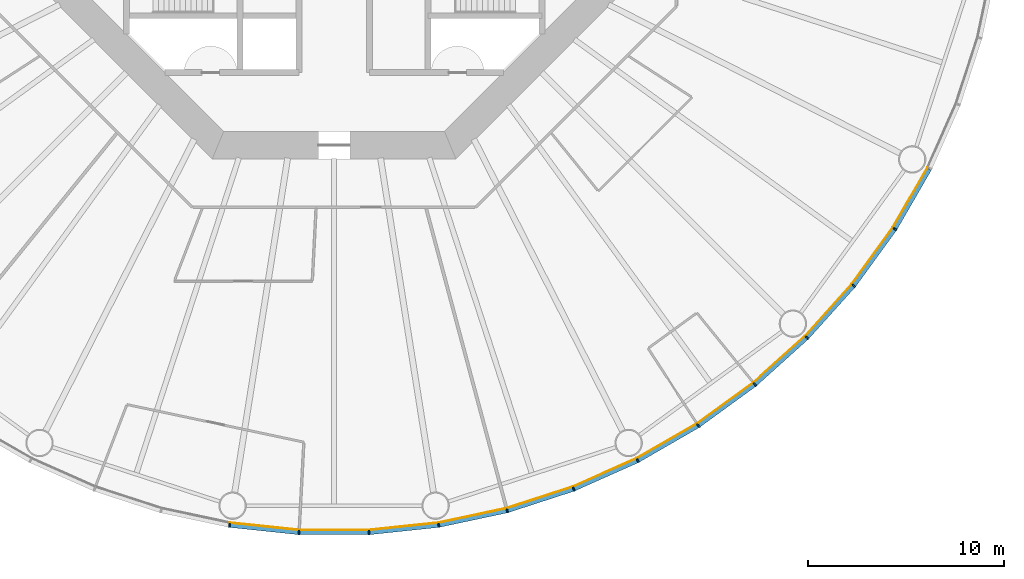
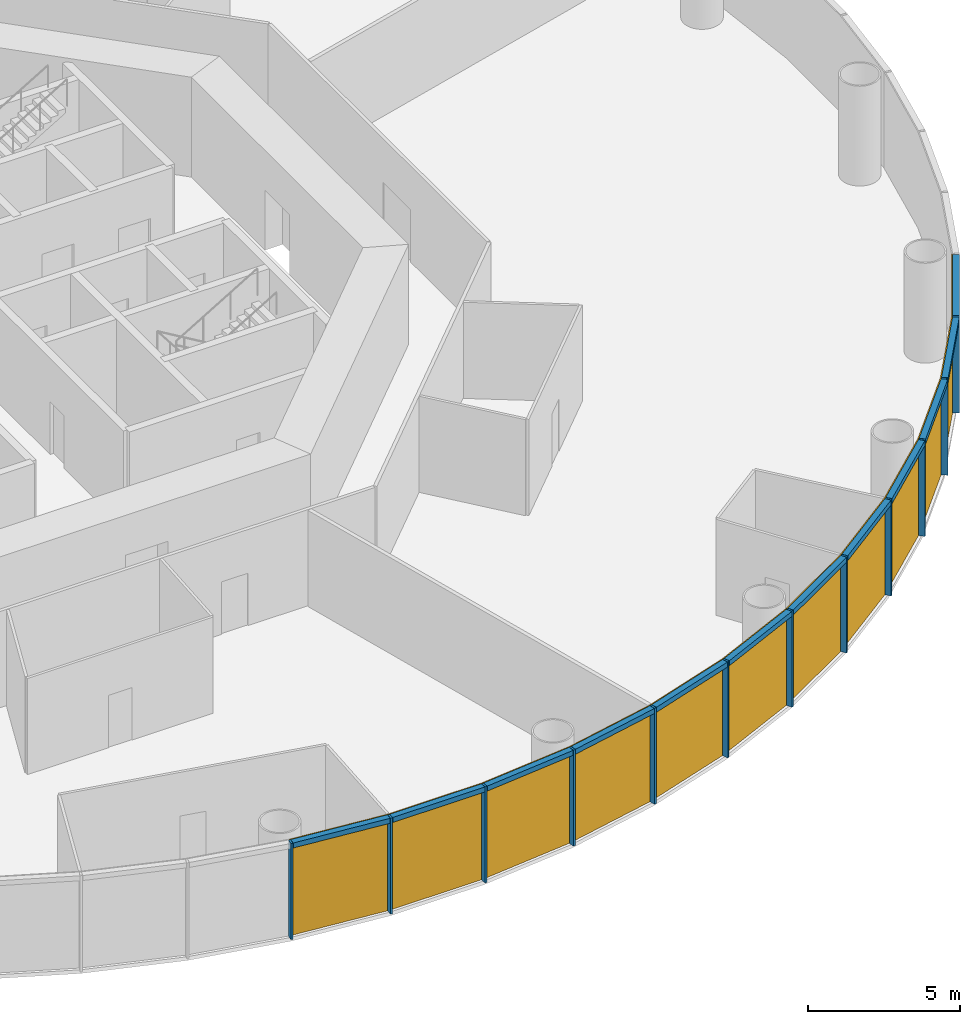
# One storey, part 8 of 13: 24 members, 4 curtain walls.
"""IFC4 building model written with IfcOpenShell, lengths in metres."""

from ifc_helpers import new_model, si_unit, direction, frame, origin, origin_2d, place, context, subcontext, project, spatial, polyline, rectangle, outline, extrude, material, layer, layer_set, material_profile, profile_set, type_object, element, aggregate, save


model = new_model("IFC4")

# Units and contexts
model_context = context("Model", 3, precision=1e-05, world=origin(), true_north=direction((0.0, 1.0)))
body_context = subcontext(model_context, "Body", "Model", "MODEL_VIEW")
ifc_project = project(units=[si_unit("LENGTHUNIT", "METRE"), si_unit("AREAUNIT", "SQUARE_METRE"), si_unit("VOLUMEUNIT", "CUBIC_METRE"), si_unit("PLANEANGLEUNIT", "RADIAN"), si_unit("MASSUNIT", "GRAM", prefix="KILO")], contexts=[model_context])

# Member
ifc_material_1 = material(Name="Anodised aluminium", Category="aluminium")
ifc_material_profile_1 = material_profile(ifc_material_1, rectangle(XDim=0.074951171875, YDim=0.219970703125, at=origin_2d()), Name="Mullion 75 x 220 mm anodised aluminium")
ifc_profile_set_1 = profile_set([ifc_material_profile_1], Name="Anodised aluminium")
member_type_1 = type_object("IfcMemberType", Name="Mullion 75 x 220 mm anodised aluminium", PredefinedType="MULLION", material=ifc_profile_set_1)
site_placement = place(None, origin())
building_placement = place(site_placement, origin())
storey_placement = place(building_placement, frame((0.0, 0.0, 22.0)))
member_1_placement = place(storey_placement, frame((84.6640625, 46.31005859375, 0.0), z_axis=(0.0, 0.0, 1.0), x_axis=(0.987688340595, -0.15643446504, 0.0)))
member_1 = element("IfcMember", 1, at=member_1_placement, type_object=member_type_1, Name="MULLION L03-42", PredefinedType="MULLION", context=body_context, shape_type="SweptSolid", body=[
    extrude(rectangle(XDim=0.074951171875, YDim=0.219970703125, at=origin_2d()), origin(), (0.0, 0.0, 1.0), 3.85009765625),
])

member_2_placement = place(storey_placement, frame((88.21484375, 45.936767578125, 0.0), z_axis=(0.0, 0.0, 1.0), x_axis=(0.998629534755, -0.052335956243, 0.0)))
member_2 = element("IfcMember", 2, at=member_2_placement, type_object=member_type_1, Name="MULLION L03-43", PredefinedType="MULLION", context=body_context, shape_type="SweptSolid", body=[
    extrude(rectangle(XDim=0.074951171875, YDim=0.219970703125, at=origin_2d()), origin(), (0.0, 0.0, 1.0), 3.85009765625),
])

member_3_placement = place(storey_placement, frame((91.78515625, 45.936767578125, 0.0), z_axis=(0.0, 0.0, 1.0), x_axis=(0.998629534755, 0.052335956243, 0.0)))
member_3 = element("IfcMember", 3, at=member_3_placement, type_object=member_type_1, Name="MULLION L03-44", PredefinedType="MULLION", context=body_context, shape_type="SweptSolid", body=[
    extrude(rectangle(XDim=0.074951171875, YDim=0.219970703125, at=origin_2d()), origin(), (0.0, 0.0, 1.0), 3.85009765625),
])

member_4_placement = place(storey_placement, frame((95.3359375, 46.31005859375, 0.0), z_axis=(0.0, 0.0, 1.0), x_axis=(0.987688340595, 0.15643446504, 0.0)))
member_4 = element("IfcMember", 4, at=member_4_placement, type_object=member_type_1, Name="MULLION L03-45", PredefinedType="MULLION", context=body_context, shape_type="SweptSolid", body=[
    extrude(rectangle(XDim=0.074951171875, YDim=0.219970703125, at=origin_2d()), origin(), (0.0, 0.0, 1.0), 3.85009765625),
])

member_5_placement = place(storey_placement, frame((98.828369140625, 47.05224609375, 0.0), z_axis=(0.0, 0.0, 1.0), x_axis=(0.965925826289, 0.258819045103, 0.0)))
member_5 = element("IfcMember", 5, at=member_5_placement, type_object=member_type_1, Name="MULLION L03-46", PredefinedType="MULLION", context=body_context, shape_type="SweptSolid", body=[
    extrude(rectangle(XDim=0.074951171875, YDim=0.219970703125, at=origin_2d()), origin(), (0.0, 0.0, 1.0), 3.85009765625),
])

member_6_placement = place(storey_placement, frame((102.223876953125, 48.155517578125, 0.0), z_axis=(0.0, 0.0, 1.0), x_axis=(0.933580426497, 0.358367949545, 0.0)))
member_6 = element("IfcMember", 6, at=member_6_placement, type_object=member_type_1, Name="MULLION L03-47", PredefinedType="MULLION", context=body_context, shape_type="SweptSolid", body=[
    extrude(rectangle(XDim=0.074951171875, YDim=0.219970703125, at=origin_2d()), origin(), (0.0, 0.0, 1.0), 3.85009765625),
])

member_7_placement = place(storey_placement, frame((105.485595703125, 49.607666015625, 0.0), z_axis=(0.0, 0.0, 1.0), x_axis=(0.891006524188, 0.45399049974, 0.0)))
member_7 = element("IfcMember", 7, at=member_7_placement, type_object=member_type_1, Name="MULLION L03-48", PredefinedType="MULLION", context=body_context, shape_type="SweptSolid", body=[
    extrude(rectangle(XDim=0.074951171875, YDim=0.219970703125, at=origin_2d()), origin(), (0.0, 0.0, 1.0), 3.85009765625),
])

member_8_placement = place(storey_placement, frame((108.57763671875, 51.39306640625, 0.0), z_axis=(0.0, 0.0, 1.0), x_axis=(0.838670567945, 0.544639035015, 0.0)))
member_8 = element("IfcMember", 8, at=member_8_placement, type_object=member_type_1, Name="MULLION L03-49", PredefinedType="MULLION", context=body_context, shape_type="SweptSolid", body=[
    extrude(rectangle(XDim=0.074951171875, YDim=0.219970703125, at=origin_2d()), origin(), (0.0, 0.0, 1.0), 3.85009765625),
])

member_9_placement = place(storey_placement, frame((111.466064453125, 53.491455078125, 0.0), z_axis=(0.0, 0.0, 1.0), x_axis=(0.777145961457, 0.62932039105, 0.0)))
member_9 = element("IfcMember", 9, at=member_9_placement, type_object=member_type_1, Name="MULLION L03-50", PredefinedType="MULLION", context=body_context, shape_type="SweptSolid", body=[
    extrude(rectangle(XDim=0.074951171875, YDim=0.219970703125, at=origin_2d()), origin(), (0.0, 0.0, 1.0), 3.85009765625),
])

member_10_placement = place(storey_placement, frame((114.119384765625, 55.880615234375, 0.0), z_axis=(0.0, 0.0, 1.0), x_axis=(0.707106781187, 0.707106781187, 0.0)))
member_10 = element("IfcMember", 10, at=member_10_placement, type_object=member_type_1, Name="MULLION L03-51", PredefinedType="MULLION", context=body_context, shape_type="SweptSolid", body=[
    extrude(rectangle(XDim=0.074951171875, YDim=0.219970703125, at=origin_2d()), origin(), (0.0, 0.0, 1.0), 3.85009765625),
])

member_11_placement = place(storey_placement, frame((116.508544921875, 58.533935546875, 0.0), z_axis=(0.0, 0.0, 1.0), x_axis=(0.62932039105, 0.777145961457, 0.0)))
member_11 = element("IfcMember", 11, at=member_11_placement, type_object=member_type_1, Name="MULLION L03-52", PredefinedType="MULLION", context=body_context, shape_type="SweptSolid", body=[
    extrude(rectangle(XDim=0.074951171875, YDim=0.219970703125, at=origin_2d()), origin(), (0.0, 0.0, 1.0), 3.85009765625),
])

member_12_placement = place(storey_placement, frame((118.60693359375, 61.42236328125, 0.0), z_axis=(0.0, 0.0, 1.0), x_axis=(0.544639035015, 0.838670567945, 0.0)))
member_12 = element("IfcMember", 12, at=member_12_placement, type_object=member_type_1, Name="MULLION L03-53", PredefinedType="MULLION", context=body_context, shape_type="SweptSolid", body=[
    extrude(rectangle(XDim=0.074951171875, YDim=0.219970703125, at=origin_2d()), origin(), (0.0, 0.0, 1.0), 3.85009765625),
])

ifc_material_2 = material(Name="Anodised aluminium", Category="aluminium")
ifc_material_profile_2 = material_profile(ifc_material_2, rectangle(XDim=0.219970703125, YDim=0.199951171875, at=origin_2d()), Name="Transom 200 x 220 mm anodised aluminium")
ifc_profile_set_2 = profile_set([ifc_material_profile_2], Name="Anodised aluminium")
member_type_2 = type_object("IfcMemberType", Name="Transom 200 x 220 mm anodised aluminium", PredefinedType="USERDEFINED", material=ifc_profile_set_2)
member_13_placement = place(storey_placement, frame((84.70703125, 46.30517578125, 3.75), z_axis=(0.994526551648, -0.104484152234, 0.0), x_axis=(0.104484152234, 0.994526551648, 0.0)))
member_13 = element("IfcMember", 13, at=member_13_placement, type_object=member_type_2, Name="TRANSOM L03-42", ObjectType="TRANSOM", PredefinedType="USERDEFINED", context=body_context, shape_type="SweptSolid", body=[
    extrude(rectangle(XDim=0.219970703125, YDim=0.199951171875, at=origin_2d()), origin(), (0.0, 0.0, 1.0), 3.48388671875),
])

member_14_placement = place(storey_placement, frame((88.258056640625, 45.9365234375, 3.75), z_axis=(1.0, 0.0, 0.0), x_axis=(0.0, 1.0, 0.0)))
member_14 = element("IfcMember", 14, at=member_14_placement, type_object=member_type_2, Name="TRANSOM L03-43", ObjectType="TRANSOM", PredefinedType="USERDEFINED", context=body_context, shape_type="SweptSolid", body=[
    extrude(rectangle(XDim=0.219970703125, YDim=0.199951171875, at=origin_2d()), origin(), (0.0, 0.0, 1.0), 3.48388671875),
])

member_15_placement = place(storey_placement, frame((91.828125, 45.941162109375, 3.75), z_axis=(0.994526551648, 0.104484152234, 0.0), x_axis=(-0.104484152234, 0.994526551648, 0.0)))
member_15 = element("IfcMember", 15, at=member_15_placement, type_object=member_type_2, Name="TRANSOM L03-44", ObjectType="TRANSOM", PredefinedType="USERDEFINED", context=body_context, shape_type="SweptSolid", body=[
    extrude(rectangle(XDim=0.219970703125, YDim=0.199951171875, at=origin_2d()), origin(), (0.0, 0.0, 1.0), 3.48388671875),
])

member_16_placement = place(storey_placement, frame((95.37841796875, 46.31884765625, 3.75), z_axis=(0.978145669426, 0.207920776701, 0.0), x_axis=(-0.207920776701, 0.978145669426, 0.0)))
member_16 = element("IfcMember", 16, at=member_16_placement, type_object=member_type_2, Name="TRANSOM L03-45", ObjectType="TRANSOM", PredefinedType="USERDEFINED", context=body_context, shape_type="SweptSolid", body=[
    extrude(rectangle(XDim=0.219970703125, YDim=0.199951171875, at=origin_2d()), origin(), (0.0, 0.0, 1.0), 3.48388671875),
])

member_17_placement = place(storey_placement, frame((98.869384765625, 47.0654296875, 3.75), z_axis=(0.951052605696, 0.309029029702, 0.0), x_axis=(-0.309029029702, 0.951052605696, 0.0)))
member_17 = element("IfcMember", 17, at=member_17_placement, type_object=member_type_2, Name="TRANSOM L03-46", ObjectType="TRANSOM", PredefinedType="USERDEFINED", context=body_context, shape_type="SweptSolid", body=[
    extrude(rectangle(XDim=0.219970703125, YDim=0.199951171875, at=origin_2d()), origin(), (0.0, 0.0, 1.0), 3.484130859375),
])

member_18_placement = place(storey_placement, frame((102.263427734375, 48.173095703125, 3.75), z_axis=(0.913545487371, 0.406736576304, 0.0), x_axis=(-0.406736576304, 0.913545487371, 0.0)))
member_18 = element("IfcMember", 18, at=member_18_placement, type_object=member_type_2, Name="TRANSOM L03-47", ObjectType="TRANSOM", PredefinedType="USERDEFINED", context=body_context, shape_type="SweptSolid", body=[
    extrude(rectangle(XDim=0.219970703125, YDim=0.199951171875, at=origin_2d()), origin(), (0.0, 0.0, 1.0), 3.48388671875),
])

member_19_placement = place(storey_placement, frame((105.523193359375, 49.629150390625, 3.75), z_axis=(0.866022206254, 0.500005538244, 0.0), x_axis=(-0.500005538244, 0.866022206254, 0.0)))
member_19 = element("IfcMember", 19, at=member_19_placement, type_object=member_type_2, Name="TRANSOM L03-48", ObjectType="TRANSOM", PredefinedType="USERDEFINED", context=body_context, shape_type="SweptSolid", body=[
    extrude(rectangle(XDim=0.219970703125, YDim=0.199951171875, at=origin_2d()), origin(), (0.0, 0.0, 1.0), 3.48388671875),
])

member_20_placement = place(storey_placement, frame((108.61279296875, 51.418212890625, 3.75), z_axis=(0.80899056535, 0.587821627006, 0.0), x_axis=(-0.587821627006, 0.80899056535, 0.0)))
member_20 = element("IfcMember", 20, at=member_20_placement, type_object=member_type_2, Name="TRANSOM L03-49", ObjectType="TRANSOM", PredefinedType="USERDEFINED", context=body_context, shape_type="SweptSolid", body=[
    extrude(rectangle(XDim=0.219970703125, YDim=0.199951171875, at=origin_2d()), origin(), (0.0, 0.0, 1.0), 3.48388671875),
])

member_21_placement = place(storey_placement, frame((111.498291015625, 53.520263671875, 3.75), z_axis=(0.743137329876, 0.669138930974, 0.0), x_axis=(-0.669138930974, 0.743137329876, 0.0)))
member_21 = element("IfcMember", 21, at=member_21_placement, type_object=member_type_2, Name="TRANSOM L03-50", ObjectType="TRANSOM", PredefinedType="USERDEFINED", context=body_context, shape_type="SweptSolid", body=[
    extrude(rectangle(XDim=0.219970703125, YDim=0.199951171875, at=origin_2d()), origin(), (0.0, 0.0, 1.0), 3.484130859375),
])

member_22_placement = place(storey_placement, frame((114.1484375, 55.91259765625, 3.75), z_axis=(0.669138930974, 0.743137329876, 0.0), x_axis=(-0.743137329876, 0.669138930974, 0.0)))
member_22 = element("IfcMember", 22, at=member_22_placement, type_object=member_type_2, Name="TRANSOM L03-51", ObjectType="TRANSOM", PredefinedType="USERDEFINED", context=body_context, shape_type="SweptSolid", body=[
    extrude(rectangle(XDim=0.219970703125, YDim=0.199951171875, at=origin_2d()), origin(), (0.0, 0.0, 1.0), 3.484130859375),
])

member_23_placement = place(storey_placement, frame((116.533935546875, 58.56884765625, 3.75), z_axis=(0.587821627006, 0.80899056535, 0.0), x_axis=(-0.80899056535, 0.587821627006, 0.0)))
member_23 = element("IfcMember", 23, at=member_23_placement, type_object=member_type_2, Name="TRANSOM L03-52", ObjectType="TRANSOM", PredefinedType="USERDEFINED", context=body_context, shape_type="SweptSolid", body=[
    extrude(rectangle(XDim=0.219970703125, YDim=0.199951171875, at=origin_2d()), origin(), (0.0, 0.0, 1.0), 3.48388671875),
])

member_24_placement = place(storey_placement, frame((118.62890625, 61.459716796875, 3.75), z_axis=(0.500005538244, 0.866022206254, 0.0), x_axis=(-0.866022206254, 0.500005538244, 0.0)))
member_24 = element("IfcMember", 24, at=member_24_placement, type_object=member_type_2, Name="TRANSOM L03-53", ObjectType="TRANSOM", PredefinedType="USERDEFINED", context=body_context, shape_type="SweptSolid", body=[
    extrude(rectangle(XDim=0.219970703125, YDim=0.199951171875, at=origin_2d()), origin(), (0.0, 0.0, 1.0), 3.48388671875),
])

# Site, building, storey
site = spatial("IfcSite", under=ifc_project, at=site_placement, CompositionType="ELEMENT")
building = spatial("IfcBuilding", under=site, at=building_placement, Name="Entoto Ring Tower", CompositionType="ELEMENT")
storey = spatial("IfcBuildingStorey", under=building, at=storey_placement, Name="L03", CompositionType="ELEMENT", Elevation=22.0)

# Curtain wall
ifc_material_3 = material(Name="Clear low-iron glass", Category="glass")
ifc_layer = layer(ifc_material_3, 0.0400390625)
ifc_layer_set = layer_set([ifc_layer], Name="Clear low-iron glass")
curtain_wall_type = type_object("IfcCurtainWallType", Name="Curtain wall system CW1 glazing 40 mm", PredefinedType="NOTDEFINED", material=ifc_layer_set)
curtain_wall_1_placement = place(storey_placement, origin())
curtain_wall_1 = element("IfcCurtainWall", 25, at=curtain_wall_1_placement, inside=storey, type_object=curtain_wall_type, Name="CW1 L03-15", PredefinedType="NOTDEFINED", context=body_context, shape_type="SweptSolid", body=[
    extrude(outline(polyline([(84.68115234375, 46.418701171875), (88.220458984375, 46.046630859375), (91.779541015625, 46.046630859375), (95.31884765625, 46.418701171875), (95.3125, 46.458251953125), (91.77734375, 46.086669921875), (88.22265625, 46.086669921875), (84.6875, 46.458251953125), (84.68115234375, 46.418701171875)])), origin(), (0.0, 0.0, 1.0), 3.85009765625),
])

aggregate(curtain_wall_1, [member_1, member_2, member_3, member_13, member_14, member_15])

curtain_wall_2_placement = place(storey_placement, origin())
curtain_wall_2 = element("IfcCurtainWall", 26, at=curtain_wall_2_placement, inside=storey, type_object=curtain_wall_type, Name="CW1 L03-16", PredefinedType="NOTDEFINED", context=body_context, shape_type="SweptSolid", body=[
    extrude(outline(polyline([(95.31884765625, 46.418701171875), (98.7998046875, 47.158447265625), (102.1845703125, 48.25830078125), (105.435791015625, 49.705810546875), (105.41748046875, 49.741455078125), (102.170166015625, 48.295654296875), (98.78955078125, 47.197265625), (95.3125, 46.458251953125), (95.31884765625, 46.418701171875)])), origin(), (0.0, 0.0, 1.0), 3.85009765625),
])

aggregate(curtain_wall_2, [member_4, member_5, member_6, member_16, member_17, member_18])

curtain_wall_3_placement = place(storey_placement, origin())
curtain_wall_3 = element("IfcCurtainWall", 27, at=curtain_wall_3_placement, inside=storey, type_object=curtain_wall_type, Name="CW1 L03-17", PredefinedType="NOTDEFINED", context=body_context, shape_type="SweptSolid", body=[
    extrude(outline(polyline([(105.435791015625, 49.705810546875), (108.517822265625, 51.485107421875), (111.39697265625, 53.5771484375), (114.041748046875, 55.958251953125), (114.013427734375, 55.986572265625), (111.37158203125, 53.608154296875), (108.495849609375, 51.518798828125), (105.41748046875, 49.741455078125), (105.435791015625, 49.705810546875)])), origin(), (0.0, 0.0, 1.0), 3.85009765625),
])

aggregate(curtain_wall_3, [member_7, member_8, member_9, member_19, member_20, member_21])

curtain_wall_4_placement = place(storey_placement, origin())
curtain_wall_4 = element("IfcCurtainWall", 28, at=curtain_wall_4_placement, inside=storey, type_object=curtain_wall_type, Name="CW1 L03-18", PredefinedType="NOTDEFINED", context=body_context, shape_type="SweptSolid", body=[
    extrude(outline(polyline([(114.041748046875, 55.958251953125), (116.4228515625, 58.60302734375), (118.514892578125, 61.482177734375), (120.294189453125, 64.564208984375), (120.258544921875, 64.58251953125), (118.481201171875, 61.504150390625), (116.391845703125, 58.62841796875), (114.013427734375, 55.986572265625), (114.041748046875, 55.958251953125)])), origin(), (0.0, 0.0, 1.0), 3.85009765625),
])

aggregate(curtain_wall_4, [member_10, member_11, member_12, member_22, member_23, member_24])

save(model, "model.ifc")
